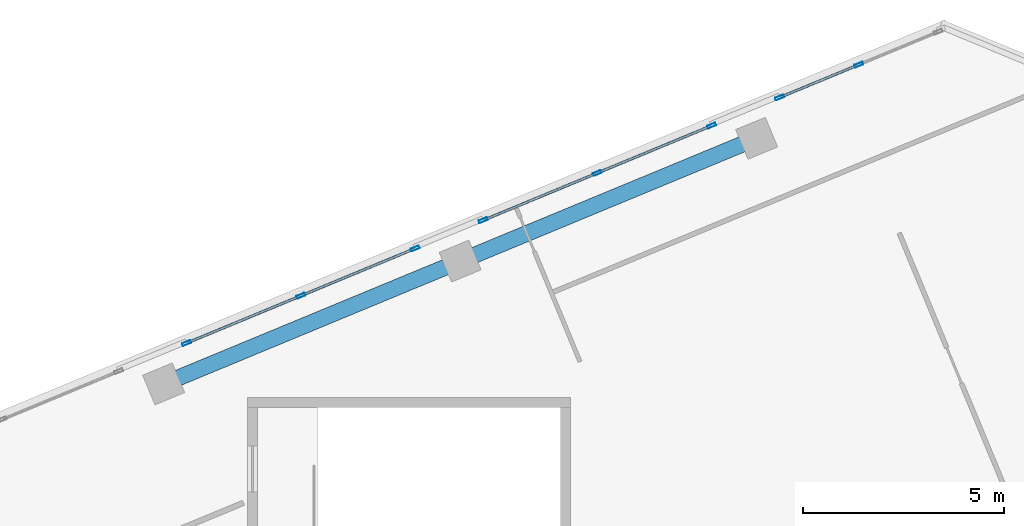
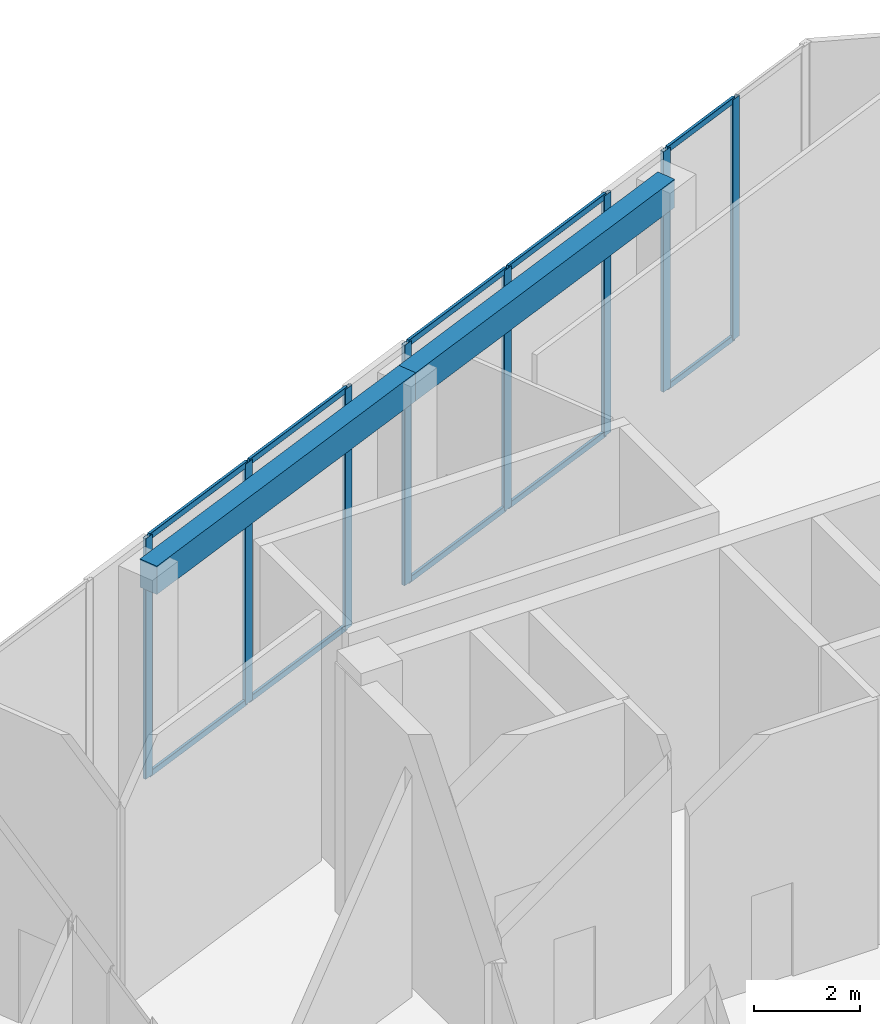
# One storey, part 8 of 16: 18 members, 2 beams, 3 elements without a shape of their own.
"""IFC4 building model written with IfcOpenShell, lengths in metres."""

from ifc_helpers import new_model, si_unit, direction, frame, origin, origin_2d, place, context, subcontext, project, spatial, rectangle, hollow_rectangle, extrude, source, transform, mapped, material, material_profile, profile_set, type_object, element, aggregate, save


model = new_model("IFC4")

# Units and contexts
model_context = context("Model", 3, precision=1e-05, world=origin(), true_north=direction((0.0, 1.0)))
body_context = subcontext(model_context, "Body", "Model", "MODEL_VIEW")
ifc_project = project(units=[si_unit("LENGTHUNIT", "METRE"), si_unit("AREAUNIT", "SQUARE_METRE"), si_unit("VOLUMEUNIT", "CUBIC_METRE"), si_unit("PLANEANGLEUNIT", "RADIAN"), si_unit("MASSUNIT", "GRAM", prefix="KILO")], contexts=[model_context])

# Site, building, storey
site_placement = place(None, origin())
site = spatial("IfcSite", under=ifc_project, at=site_placement, CompositionType="ELEMENT")
building_placement = place(site_placement, origin())
building = spatial("IfcBuilding", under=site, at=building_placement, Name="Torre Montelarca", CompositionType="ELEMENT")
storey_placement = place(building_placement, frame((0.0, 0.0, 360.0)))
storey = spatial("IfcBuildingStorey", under=building, at=storey_placement, Name="L81", CompositionType="ELEMENT", Elevation=360.0)

# Beams
ifc_material_1 = material(Name="Concrete C40/50", Category="concrete")
ifc_material_profile_1 = material_profile(ifc_material_1, rectangle(XDim=0.39990234375, YDim=0.64990234375, at=origin_2d()), Name="RCB400X650", Category="concrete")
ifc_profile_set_1 = profile_set([ifc_material_profile_1], Name="Concrete C40/50")
beam_type = type_object("IfcBeamType", Name="BM-SP-RC650-EXT", PredefinedType="SPANDREL", material=ifc_profile_set_1)
shared_shape_1 = source(origin(), body_context, "Body", "SweptSolid", [
    extrude(rectangle(XDim=0.39990234375, YDim=0.64990234375, at=origin_2d()), origin(), (0.0, 0.0, 1.0), 8.0),
])
for number, where, z_axis, x_axis, name in (
    (1, (7.66064453125, 44.505859375, 5.39501953125), (0.923878468529, 0.382686001036, 0.0), (-0.382686001036, 0.923878468529, 0.0), "L81 Grid Girder Y 24.0-32.0 at X=4.7"),
    (2, (15.0517578125, 47.5673828125, 5.39501953125), (0.923878468529, 0.382686001036, 0.0), (-0.382686001036, 0.923878468529, 0.0), "L81 Grid Girder Y 32.0-40.0 at X=4.7"),
):
    element("IfcBeam", number, at=place(storey_placement, frame(where, z_axis=z_axis, x_axis=x_axis)), inside=storey, type_object=beam_type, Name=name, PredefinedType="SPANDREL", context=body_context, shape_type="MappedRepresentation", body=[
        mapped(shared_shape_1, transform((0.0, 0.0, 0.0), scale=1.0)),
    ])

# Curtain wall, members
ifc_material_2 = material(Name="Insulated low-E laminated glass", Category="glass")
curtain_wall_type = type_object("IfcCurtainWallType", Name="CW-SYS-Z4", PredefinedType="USERDEFINED", material=ifc_material_2)
curtain_wall_1_placement = place(storey_placement, origin())
curtain_wall_1 = element("IfcCurtainWall", 3, at=curtain_wall_1_placement, inside=storey, type_object=curtain_wall_type, Name="L81 Curtain Wall Run CW-T3-L81-E10-B1", ObjectType="UNITISED GLAZING", PredefinedType="USERDEFINED")
ifc_material_3 = material(Name="Anodised aluminium AA 6063-T6", Category="aluminium")
ifc_material_profile_2 = material_profile(ifc_material_3, hollow_rectangle(XDim=0.074951171875, YDim=0.219970703125, WallThickness=0.0048828125, InnerFilletRadius=0.0048828125, OuterFilletRadius=0.010009765625, at=origin_2d()), Name="ALU75X220X5", Category="aluminium")
ifc_profile_set_2 = profile_set([ifc_material_profile_2], Name="Anodised aluminium AA 6063-T6")
member_type_1 = type_object("IfcMemberType", Name="CWM-ALU220", PredefinedType="MULLION", material=ifc_profile_set_2)
shared_shape_2 = source(origin(), body_context, "Body", "SweptSolid", [
    extrude(hollow_rectangle(XDim=0.074951171875, YDim=0.219970703125, WallThickness=0.0048828125, InnerFilletRadius=0.0048828125, OuterFilletRadius=0.010009765625, at=origin_2d()), origin(), (0.0, 0.0, 1.0), 5.52001953125),
])
member_1_placement = place(storey_placement, frame((24.99169921875, 52.4638671875, 0.0), z_axis=(0.0, 0.0, 1.0), x_axis=(0.382672278548, -0.923884152495, 0.0)))
member_1 = element("IfcMember", 4, at=member_1_placement, type_object=member_type_1, Name="CW mullion 2", PredefinedType="MULLION", context=body_context, shape_type="MappedRepresentation", body=[
    mapped(shared_shape_2, transform((0.0, 0.0, 0.0), scale=1.0)),
])
member_2_placement = place(storey_placement, frame((23.014892578125, 51.645263671875, 0.0), z_axis=(0.0, 0.0, 1.0), x_axis=(0.382672278548, -0.923884152495, 0.0)))
member_2 = element("IfcMember", 5, at=member_2_placement, type_object=member_type_1, Name="CW mullion 3", PredefinedType="MULLION", context=body_context, shape_type="MappedRepresentation", body=[
    mapped(shared_shape_2, transform((0.0, 0.0, 0.0), scale=1.0)),
])

curtain_wall_2_placement = place(storey_placement, origin())
curtain_wall_2 = element("IfcCurtainWall", 6, at=curtain_wall_2_placement, inside=storey, type_object=curtain_wall_type, Name="L81 Curtain Wall Run CW-T3-L81-E10-B2", ObjectType="UNITISED GLAZING", PredefinedType="USERDEFINED")
member_3_placement = place(storey_placement, frame((21.319580078125, 50.94287109375, 0.0), z_axis=(0.0, 0.0, 1.0), x_axis=(0.382677798455, -0.923881866133, 0.0)))
member_3 = element("IfcMember", 7, at=member_3_placement, type_object=member_type_1, Name="CW mullion 1", PredefinedType="MULLION", context=body_context, shape_type="MappedRepresentation", body=[
    mapped(shared_shape_2, transform((0.0, 0.0, 0.0), scale=1.0)),
])
member_4_placement = place(storey_placement, frame((18.4716796875, 49.76318359375, 0.0), z_axis=(0.0, 0.0, 1.0), x_axis=(0.382677798455, -0.923881866133, 0.0)))
member_4 = element("IfcMember", 8, at=member_4_placement, type_object=member_type_1, Name="CW mullion 2", PredefinedType="MULLION", context=body_context, shape_type="MappedRepresentation", body=[
    mapped(shared_shape_2, transform((0.0, 0.0, 0.0), scale=1.0)),
])
member_5_placement = place(storey_placement, frame((15.6240234375, 48.583740234375, 0.0), z_axis=(0.0, 0.0, 1.0), x_axis=(0.382677798455, -0.923881866133, 0.0)))
member_5 = element("IfcMember", 9, at=member_5_placement, type_object=member_type_1, Name="CW mullion 3", PredefinedType="MULLION", context=body_context, shape_type="MappedRepresentation", body=[
    mapped(shared_shape_2, transform((0.0, 0.0, 0.0), scale=1.0)),
])

curtain_wall_3_placement = place(storey_placement, origin())
curtain_wall_3 = element("IfcCurtainWall", 10, at=curtain_wall_3_placement, inside=storey, type_object=curtain_wall_type, Name="L81 Curtain Wall Run CW-T3-L81-E10-B3", ObjectType="UNITISED GLAZING", PredefinedType="USERDEFINED")
member_6_placement = place(storey_placement, frame((13.9287109375, 47.88134765625, 0.0), z_axis=(0.0, 0.0, 1.0), x_axis=(0.382685811263, -0.923878547136, 0.0)))
member_6 = element("IfcMember", 11, at=member_6_placement, type_object=member_type_1, Name="CW mullion 1", PredefinedType="MULLION", context=body_context, shape_type="MappedRepresentation", body=[
    mapped(shared_shape_2, transform((0.0, 0.0, 0.0), scale=1.0)),
])
member_7_placement = place(storey_placement, frame((11.080810546875, 46.701904296875, 0.0), z_axis=(0.0, 0.0, 1.0), x_axis=(0.382685811263, -0.923878547136, 0.0)))
member_7 = element("IfcMember", 12, at=member_7_placement, type_object=member_type_1, Name="CW mullion 2", PredefinedType="MULLION", context=body_context, shape_type="MappedRepresentation", body=[
    mapped(shared_shape_2, transform((0.0, 0.0, 0.0), scale=1.0)),
])
member_8_placement = place(storey_placement, frame((8.23291015625, 45.522216796875, 0.0), z_axis=(0.0, 0.0, 1.0), x_axis=(0.382685811263, -0.923878547136, 0.0)))
member_8 = element("IfcMember", 13, at=member_8_placement, type_object=member_type_1, Name="CW mullion 3", PredefinedType="MULLION", context=body_context, shape_type="MappedRepresentation", body=[
    mapped(shared_shape_2, transform((0.0, 0.0, 0.0), scale=1.0)),
])

# Member
ifc_material_profile_3 = material_profile(ifc_material_3, hollow_rectangle(XDim=0.06494140625, YDim=0.139892578125, WallThickness=0.00390625, InnerFilletRadius=0.00390625, OuterFilletRadius=0.008056640625, at=origin_2d()), Name="ALU65X140X4", Category="aluminium")
ifc_profile_set_3 = profile_set([ifc_material_profile_3], Name="Anodised aluminium AA 6063-T6")
member_type_2 = type_object("IfcMemberType", Name="CWT-ALU140", PredefinedType="USERDEFINED", material=ifc_profile_set_3)
shared_shape_3 = source(origin(), body_context, "Body", "SweptSolid", [
    extrude(hollow_rectangle(XDim=0.06494140625, YDim=0.139892578125, WallThickness=0.00390625, InnerFilletRadius=0.00390625, OuterFilletRadius=0.008056640625, at=origin_2d()), origin(), (0.0, 0.0, 1.0), 2.064697265625),
])
member_9_placement = place(storey_placement, frame((24.95703125, 52.449462890625, 0.032470703125), z_axis=(-0.923890007649, -0.382658142167, 0.0), x_axis=(0.382658142167, -0.923890007649, 0.0)))
member_9 = element("IfcMember", 14, at=member_9_placement, type_object=member_type_2, Name="CW transom 2.1", ObjectType="TRANSOM", PredefinedType="USERDEFINED", context=body_context, shape_type="MappedRepresentation", body=[
    mapped(shared_shape_3, transform((0.0, 0.0, 0.0), scale=1.0)),
])

member_10_placement = place(storey_placement, frame((24.95703125, 52.449462890625, 5.487548828125), z_axis=(-0.923890007649, -0.382658142167, 0.0), x_axis=(0.382658142167, -0.923890007649, 0.0)))
member_10 = element("IfcMember", 15, at=member_10_placement, type_object=member_type_2, Name="CW transom 2.2", ObjectType="TRANSOM", PredefinedType="USERDEFINED", context=body_context, shape_type="MappedRepresentation", body=[
    mapped(shared_shape_3, transform((0.0, 0.0, 0.0), scale=1.0)),
])

aggregate(curtain_wall_1, [member_1, member_2, member_9, member_10])

shared_shape_4 = source(origin(), body_context, "Body", "SweptSolid", [
    extrude(hollow_rectangle(XDim=0.06494140625, YDim=0.139892578125, WallThickness=0.00390625, InnerFilletRadius=0.00390625, OuterFilletRadius=0.008056640625, at=origin_2d()), origin(), (0.0, 0.0, 1.0), 3.007568359375),
])
member_11_placement = place(storey_placement, frame((21.284912109375, 50.928466796875, 0.032470703125), z_axis=(-0.923884255234, -0.382672030505, 0.0), x_axis=(0.382672030505, -0.923884255234, 0.0)))
member_11 = element("IfcMember", 16, at=member_11_placement, type_object=member_type_2, Name="CW transom 1.1", ObjectType="TRANSOM", PredefinedType="USERDEFINED", context=body_context, shape_type="MappedRepresentation", body=[
    mapped(shared_shape_4, transform((0.0, 0.0, 0.0), scale=1.0)),
])

member_12_placement = place(storey_placement, frame((21.284912109375, 50.928466796875, 5.487548828125), z_axis=(-0.923884255234, -0.382672030505, 0.0), x_axis=(0.382672030505, -0.923884255234, 0.0)))
member_12 = element("IfcMember", 17, at=member_12_placement, type_object=member_type_2, Name="CW transom 1.2", ObjectType="TRANSOM", PredefinedType="USERDEFINED", context=body_context, shape_type="MappedRepresentation", body=[
    mapped(shared_shape_4, transform((0.0, 0.0, 0.0), scale=1.0)),
])

member_13_placement = place(storey_placement, frame((18.437255859375, 49.748779296875, 0.032470703125), z_axis=(-0.923884255234, -0.382672030505, 0.0), x_axis=(0.382672030505, -0.923884255234, 0.0)))
member_13 = element("IfcMember", 18, at=member_13_placement, type_object=member_type_2, Name="CW transom 2.1", ObjectType="TRANSOM", PredefinedType="USERDEFINED", context=body_context, shape_type="MappedRepresentation", body=[
    mapped(shared_shape_4, transform((0.0, 0.0, 0.0), scale=1.0)),
])

member_14_placement = place(storey_placement, frame((18.437255859375, 49.748779296875, 5.487548828125), z_axis=(-0.923884255234, -0.382672030505, 0.0), x_axis=(0.382672030505, -0.923884255234, 0.0)))
member_14 = element("IfcMember", 19, at=member_14_placement, type_object=member_type_2, Name="CW transom 2.2", ObjectType="TRANSOM", PredefinedType="USERDEFINED", context=body_context, shape_type="MappedRepresentation", body=[
    mapped(shared_shape_4, transform((0.0, 0.0, 0.0), scale=1.0)),
])

aggregate(curtain_wall_2, [member_3, member_4, member_5, member_11, member_12, member_13, member_14])

member_15_placement = place(storey_placement, frame((13.89404296875, 47.8671875, 0.032470703125), z_axis=(-0.923855553558, -0.382741317549, 0.0), x_axis=(0.382741317549, -0.923855553558, 0.0)))
member_15 = element("IfcMember", 20, at=member_15_placement, type_object=member_type_2, Name="CW transom 1.1", ObjectType="TRANSOM", PredefinedType="USERDEFINED", context=body_context, shape_type="MappedRepresentation", body=[
    mapped(shared_shape_4, transform((0.0, 0.0, 0.0), scale=1.0)),
])

member_16_placement = place(storey_placement, frame((13.89404296875, 47.8671875, 5.487548828125), z_axis=(-0.923855553558, -0.382741317549, 0.0), x_axis=(0.382741317549, -0.923855553558, 0.0)))
member_16 = element("IfcMember", 21, at=member_16_placement, type_object=member_type_2, Name="CW transom 1.2", ObjectType="TRANSOM", PredefinedType="USERDEFINED", context=body_context, shape_type="MappedRepresentation", body=[
    mapped(shared_shape_4, transform((0.0, 0.0, 0.0), scale=1.0)),
])

member_17_placement = place(storey_placement, frame((11.046142578125, 46.6875, 0.032470703125), z_axis=(-0.923884255234, -0.382672030505, 0.0), x_axis=(0.382672030505, -0.923884255234, 0.0)))
member_17 = element("IfcMember", 22, at=member_17_placement, type_object=member_type_2, Name="CW transom 2.1", ObjectType="TRANSOM", PredefinedType="USERDEFINED", context=body_context, shape_type="MappedRepresentation", body=[
    mapped(shared_shape_4, transform((0.0, 0.0, 0.0), scale=1.0)),
])

member_18_placement = place(storey_placement, frame((11.046142578125, 46.6875, 5.487548828125), z_axis=(-0.923884255234, -0.382672030505, 0.0), x_axis=(0.382672030505, -0.923884255234, 0.0)))
member_18 = element("IfcMember", 23, at=member_18_placement, type_object=member_type_2, Name="CW transom 2.2", ObjectType="TRANSOM", PredefinedType="USERDEFINED", context=body_context, shape_type="MappedRepresentation", body=[
    mapped(shared_shape_4, transform((0.0, 0.0, 0.0), scale=1.0)),
])

aggregate(curtain_wall_3, [member_6, member_7, member_8, member_15, member_16, member_17, member_18])

save(model, "model.ifc")
